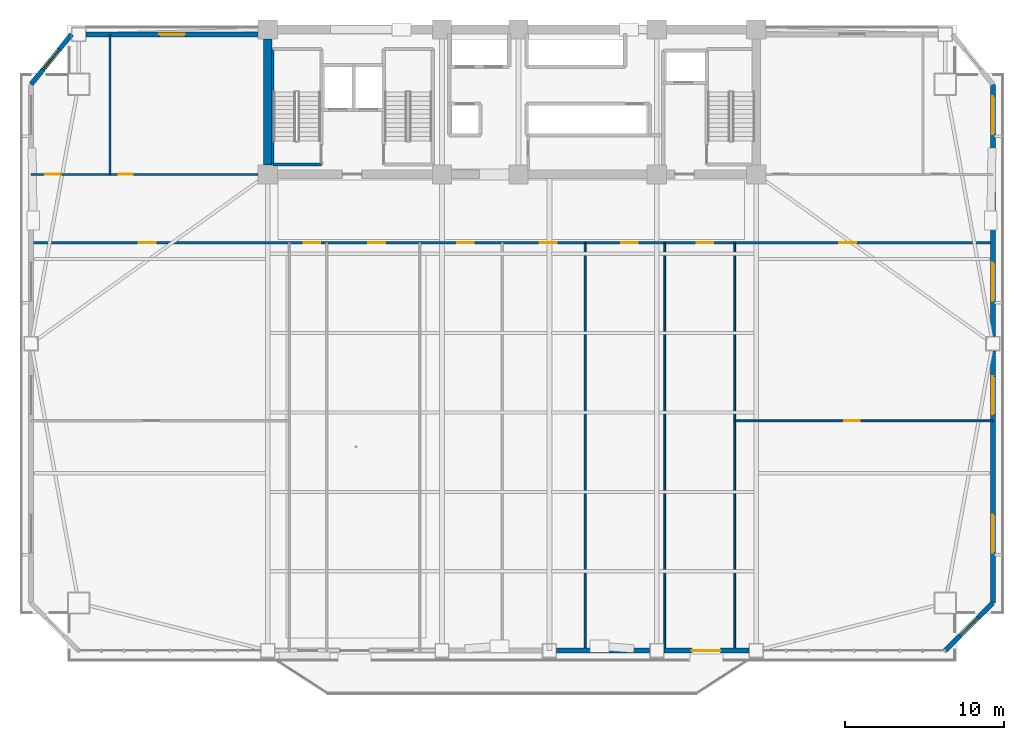
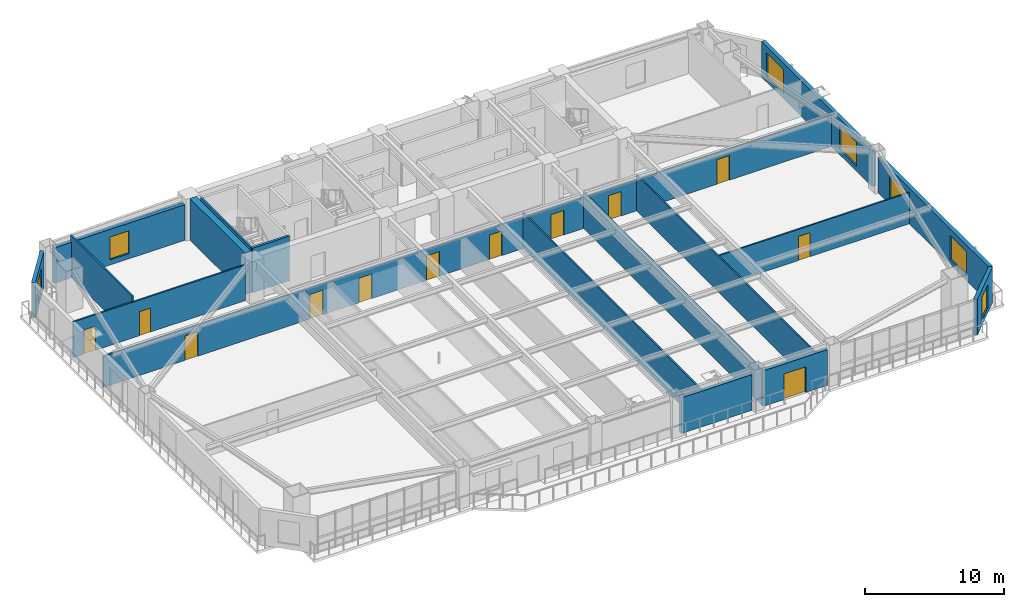
# One storey, part 8 of 15: 17 walls, 12 doors, 7 windows, 19 openings.
"""IFC4 building model written with IfcOpenShell, lengths in metres."""

from ifc_helpers import new_model, si_unit, direction, frame, frame_2d, origin, place, context, subcontext, project, spatial, rectangle, extrude, source, transform, mapped, material, layer, layer_set, type_object, element, fill, save


model = new_model("IFC4")

# Units and contexts
model_context = context("Model", 3, precision=1e-05, world=origin(), true_north=direction((0.0, 1.0)))
body_context = subcontext(model_context, "Body", "Model", "MODEL_VIEW")
ifc_project = project(units=[si_unit("LENGTHUNIT", "METRE"), si_unit("AREAUNIT", "SQUARE_METRE"), si_unit("VOLUMEUNIT", "CUBIC_METRE"), si_unit("PLANEANGLEUNIT", "RADIAN"), si_unit("MASSUNIT", "GRAM", prefix="KILO")], contexts=[model_context])

# Site, building, storey
site_placement = place(None, origin())
site = spatial("IfcSite", under=ifc_project, at=site_placement, CompositionType="ELEMENT")
building_placement = place(site_placement, origin())
building = spatial("IfcBuilding", under=site, at=building_placement, Name="Giltprow Tower", CompositionType="ELEMENT")
storey_placement = place(building_placement, frame((0.0, 0.0, 127.0)))
storey = spatial("IfcBuildingStorey", under=building, at=storey_placement, Name="L31", CompositionType="ELEMENT", Elevation=127.0)

# Wall, opening, window
ifc_material_1 = material(Name="Precast concrete C40", Category="concrete")
ifc_layer_1 = layer(ifc_material_1, 0.300048828125, Name="Precast concrete C40")
ifc_layer_set_1 = layer_set([ifc_layer_1], Name="Precast concrete C40")
wall_type_1 = type_object("IfcWallType", Name="EW-NOTCH-CHAMFER-300", PredefinedType="SOLIDWALL", material=ifc_layer_set_1)
wall_1_placement = place(storey_placement, frame((62.429931640625, 7.51806640625, 0.0), z_axis=(0.0, 0.0, 1.0), x_axis=(0.707106781187, 0.707106781187, 0.0)))
wall_1 = element("IfcWall", 1, at=wall_1_placement, inside=storey, type_object=wall_type_1, Name="L31 Corner Notch Wall SE", PredefinedType="SOLIDWALL", context=body_context, shape_type="SweptSolid", body=[
    extrude(rectangle(XDim=4.22998046875, YDim=0.300048828125, at=frame_2d((2.114990234375, 0.0))), origin(), (0.0, 0.0, 1.0), 3.1201171875),
])
opening_1_placement = place(wall_1_placement, frame((1.31494140625, 0.0, 0.449951171875)))
opening_1 = element("IfcOpeningElement", 2, at=opening_1_placement, cuts=wall_1, Name="Opening WN17", PredefinedType="OPENING", context=body_context, shape_type="SweptSolid", body=[
    extrude(rectangle(XDim=1.60009765625, YDim=2.0, at=frame_2d((0.800048828125, 1.0))), frame((0.0, 0.159912109375, 0.0), z_axis=(0.0, -1.0, 0.0), x_axis=(1.0, 0.0, 0.0)), (0.0, 0.0, 1.0), 0.320068359375),
])
ifc_material_2 = material(Name="Insulated glass", Category="glass")
window_type_1 = type_object("IfcWindowType", Name="WN-COR-1600x2000", PartitioningType="SINGLE_PANEL", PredefinedType="WINDOW", material=ifc_material_2)
shared_shape_1 = source(origin(), body_context, "Body", "SweptSolid", [
    extrude(rectangle(XDim=1.60009765625, YDim=2.0, at=frame_2d((0.800048828125, 1.0))), frame((0.0, 0.030029296875, 0.0), z_axis=(0.0, -1.0, 0.0), x_axis=(1.0, 0.0, 0.0)), (0.0, 0.0, 1.0), 0.06005859375),
])
window_1_placement = place(opening_1_placement, origin())
window_1 = element("IfcWindow", 3, at=window_1_placement, inside=storey, type_object=window_type_1, Name="L31 Corner Notch Window SE", OverallHeight=2.0, OverallWidth=1.60009765625, PartitioningType="SINGLE_PANEL", PredefinedType="WINDOW", context=body_context, shape_type="MappedRepresentation", body=[
    mapped(shared_shape_1, transform((0.0, 0.0, 0.0), x_axis=(1.0, 0.0, 0.0), y_axis=(0.0, 1.0, 0.0), z_axis=(0.0, 0.0, 1.0), scale=1.0)),
])
fill(opening_1, window_1)

wall_2_placement = place(storey_placement, frame((7.52001953125, 46.25, 0.0), z_axis=(0.0, 0.0, 1.0), x_axis=(-0.62893048879, -0.7774615362, 0.0)))
wall_2 = element("IfcWall", 4, at=wall_2_placement, inside=storey, type_object=wall_type_1, Name="L31 Corner Notch Wall NW", PredefinedType="SOLIDWALL", context=body_context, shape_type="SweptSolid", body=[
    extrude(rectangle(XDim=4.040283203125, YDim=0.300048828125, at=frame_2d((2.02001953125, 0.0))), origin(), (0.0, 0.0, 1.0), 3.1201171875),
])
opening_2_placement = place(wall_2_placement, frame((1.219970703125, 0.0, 0.449951171875)))
opening_2 = element("IfcOpeningElement", 5, at=opening_2_placement, cuts=wall_2, Name="Opening WN17", PredefinedType="OPENING", context=body_context, shape_type="SweptSolid", body=[
    extrude(rectangle(XDim=1.60009765625, YDim=2.0, at=frame_2d((0.800048828125, 1.0))), frame((0.0, 0.159912109375, 0.0), z_axis=(0.0, -1.0, 0.0), x_axis=(1.0, 0.0, 0.0)), (0.0, 0.0, 1.0), 0.320068359375),
])
window_2_placement = place(opening_2_placement, origin())
window_2 = element("IfcWindow", 6, at=window_2_placement, inside=storey, type_object=window_type_1, Name="L31 Corner Notch Window NW", OverallHeight=2.0, OverallWidth=1.60009765625, PartitioningType="SINGLE_PANEL", PredefinedType="WINDOW", context=body_context, shape_type="MappedRepresentation", body=[
    mapped(shared_shape_1, transform((0.0, 0.0, 0.0), x_axis=(1.0, 0.0, 0.0), y_axis=(0.0, 1.0, 0.0), z_axis=(0.0, 0.0, 1.0), scale=1.0)),
])
fill(opening_2, window_2)

# Wall
ifc_layer_2 = layer(ifc_material_1, 0.320068359375, Name="Precast concrete C40")
ifc_layer_set_2 = layer_set([ifc_layer_2], Name="Precast concrete C40")
wall_type_2 = type_object("IfcWallType", Name="EW-TOW-STONE-320", PredefinedType="SOLIDWALL", material=ifc_layer_set_2)
wall_3_placement = place(storey_placement, frame((38.0, 7.51806640625, 0.0), z_axis=(0.0, 0.0, 1.0), x_axis=(1.0, 0.0, 0.0)))
element("IfcWall", 7, at=wall_3_placement, inside=storey, type_object=wall_type_2, Name="L31 South Expressed Frame Wall 4", PredefinedType="SOLIDWALL", context=body_context, shape_type="SweptSolid", body=[
    extrude(rectangle(XDim=5.85009765625, YDim=0.320068359375, at=frame_2d((2.925048828125, 0.0))), origin(), (0.0, 0.0, 1.0), 3.1201171875),
])

# Wall, opening, door
wall_4_placement = place(storey_placement, frame((44.75, 7.51806640625, 0.0), z_axis=(0.0, 0.0, 1.0), x_axis=(1.0, 0.0, 0.0)))
wall_4 = element("IfcWall", 8, at=wall_4_placement, inside=storey, type_object=wall_type_2, Name="L31 South Expressed Frame Wall 5", PredefinedType="SOLIDWALL", context=body_context, shape_type="SweptSolid", body=[
    extrude(rectangle(XDim=5.35009765625, YDim=0.320068359375, at=frame_2d((2.675048828125, 0.0))), origin(), (0.0, 0.0, 1.0), 3.1201171875),
])
opening_3_placement = place(wall_4_placement, frame((1.75, 0.0, 0.0)))
opening_3 = element("IfcOpeningElement", 9, at=opening_3_placement, cuts=wall_4, Name="Opening ED25", PredefinedType="OPENING", context=body_context, shape_type="SweptSolid", body=[
    extrude(rectangle(XDim=1.800048828125, YDim=2.25, at=frame_2d((0.89990234375, 1.125))), frame((0.0, 0.169921875, 0.0), z_axis=(0.0, -1.0, 0.0), x_axis=(1.0, 0.0, 0.0)), (0.0, 0.0, 1.0), 0.340087890625),
])
ifc_material_3 = material(Name="Anodized bronze and glass", Category="glass")
door_type_1 = type_object("IfcDoorType", Name="DR-BALC-SLIDE-1800", OperationType="SLIDING_TO_LEFT", PredefinedType="DOOR", material=ifc_material_3)
shared_shape_2 = source(origin(), body_context, "Body", "SweptSolid", [
    extrude(rectangle(XDim=1.800048828125, YDim=2.25, at=frame_2d((0.89990234375, 1.125))), frame((0.0, 0.02490234375, 0.0), z_axis=(0.0, -1.0, 0.0), x_axis=(1.0, 0.0, 0.0)), (0.0, 0.0, 1.0), 0.050048828125),
])
door_1_placement = place(opening_3_placement, origin())
door_1 = element("IfcDoor", 10, at=door_1_placement, inside=storey, type_object=door_type_1, Name="L31 Waterfront Balcony Sliding Door 2", OperationType="SLIDING_TO_LEFT", OverallHeight=2.25, OverallWidth=1.800048828125, PredefinedType="DOOR", context=body_context, shape_type="MappedRepresentation", body=[
    mapped(shared_shape_2, transform((0.0, 0.0, 0.0), x_axis=(1.0, 0.0, 0.0), y_axis=(0.0, 1.0, 0.0), z_axis=(0.0, 0.0, 1.0), scale=1.0)),
])
fill(opening_3, door_1)

# Wall, openings, windows
wall_5_placement = place(storey_placement, frame((65.4208984375, 10.509033203125, 0.0), z_axis=(0.0, 0.0, 1.0), x_axis=(0.0, 1.0, 0.0)))
wall_5 = element("IfcWall", 11, at=wall_5_placement, inside=storey, type_object=wall_type_2, Name="L31 E Wing Masonry Wall 1", PredefinedType="SOLIDWALL", context=body_context, shape_type="SweptSolid", body=[
    extrude(rectangle(XDim=15.849853515625, YDim=0.320068359375, at=frame_2d((7.9248046875, 0.0))), origin(), (0.0, 0.0, 1.0), 3.1201171875),
])
opening_4_placement = place(wall_5_placement, frame((3.160888671875, 0.0, 0.449951171875)))
opening_4 = element("IfcOpeningElement", 12, at=opening_4_placement, cuts=wall_5, Name="Opening WN29", PredefinedType="OPENING", context=body_context, shape_type="SweptSolid", body=[
    extrude(rectangle(XDim=2.39990234375, YDim=2.10009765625, at=frame_2d((1.199951171875, 1.050048828125))), frame((0.0, 0.169921875, 0.0), z_axis=(0.0, -1.0, 0.0), x_axis=(1.0, 0.0, 0.0)), (0.0, 0.0, 1.0), 0.340087890625),
])
opening_5_placement = place(wall_5_placement, frame((11.85107421875, 0.0, 0.449951171875)))
opening_5 = element("IfcOpeningElement", 13, at=opening_5_placement, cuts=wall_5, Name="Opening WN29", PredefinedType="OPENING", context=body_context, shape_type="SweptSolid", body=[
    extrude(rectangle(XDim=2.39990234375, YDim=2.10009765625, at=frame_2d((1.199951171875, 1.050048828125))), frame((0.0, 0.169921875, 0.0), z_axis=(0.0, -1.0, 0.0), x_axis=(1.0, 0.0, 0.0)), (0.0, 0.0, 1.0), 0.340087890625),
])
window_type_2 = type_object("IfcWindowType", Name="WN-OFF-2400x2100", PartitioningType="DOUBLE_PANEL_VERTICAL", PredefinedType="WINDOW", material=ifc_material_2)
shared_shape_3 = source(origin(), body_context, "Body", "SweptSolid", [
    extrude(rectangle(XDim=2.39990234375, YDim=2.10009765625, at=frame_2d((1.199951171875, 1.050048828125))), frame((0.0, 0.030029296875, 0.0), z_axis=(0.0, -1.0, 0.0), x_axis=(1.0, 0.0, 0.0)), (0.0, 0.0, 1.0), 0.06005859375),
])
window_3_placement = place(opening_4_placement, origin())
window_3 = element("IfcWindow", 14, at=window_3_placement, inside=storey, type_object=window_type_2, Name="L31 E Wing Window 1-1A", OverallHeight=2.10009765625, OverallWidth=2.39990234375, PartitioningType="SINGLE_PANEL", PredefinedType="WINDOW", context=body_context, shape_type="MappedRepresentation", body=[
    mapped(shared_shape_3, transform((0.0, 0.0, 0.0), x_axis=(1.0, 0.0, 0.0), y_axis=(0.0, 1.0, 0.0), z_axis=(0.0, 0.0, 1.0), scale=1.0)),
])
fill(opening_4, window_3)
window_4_placement = place(opening_5_placement, origin())
window_4 = element("IfcWindow", 15, at=window_4_placement, inside=storey, type_object=window_type_2, Name="L31 E Wing Window 1-1B", OverallHeight=2.10009765625, OverallWidth=2.39990234375, PartitioningType="SINGLE_PANEL", PredefinedType="WINDOW", context=body_context, shape_type="MappedRepresentation", body=[
    mapped(shared_shape_3, transform((0.0, 0.0, 0.0), x_axis=(1.0, 0.0, 0.0), y_axis=(0.0, 1.0, 0.0), z_axis=(0.0, 0.0, 1.0), scale=1.0)),
])
fill(opening_5, window_4)

wall_6_placement = place(storey_placement, frame((65.4208984375, 27.259033203125, 0.0), z_axis=(0.0, 0.0, 1.0), x_axis=(0.0, 1.0, 0.0)))
wall_6 = element("IfcWall", 16, at=wall_6_placement, inside=storey, type_object=wall_type_2, Name="L31 E Wing Masonry Wall 2", PredefinedType="SOLIDWALL", context=body_context, shape_type="SweptSolid", body=[
    extrude(rectangle(XDim=15.849853515625, YDim=0.320068359375, at=frame_2d((7.9248046875, 0.0))), origin(), (0.0, 0.0, 1.0), 3.1201171875),
])
opening_6_placement = place(wall_6_placement, frame((2.240966796875, 0.0, 0.449951171875)))
opening_6 = element("IfcOpeningElement", 17, at=opening_6_placement, cuts=wall_6, Name="Opening WN29", PredefinedType="OPENING", context=body_context, shape_type="SweptSolid", body=[
    extrude(rectangle(XDim=2.39990234375, YDim=2.10009765625, at=frame_2d((1.199951171875, 1.050048828125))), frame((0.0, 0.169921875, 0.0), z_axis=(0.0, -1.0, 0.0), x_axis=(1.0, 0.0, 0.0)), (0.0, 0.0, 1.0), 0.340087890625),
])
opening_7_placement = place(wall_6_placement, frame((12.7080078125, 0.0, 0.449951171875)))
opening_7 = element("IfcOpeningElement", 18, at=opening_7_placement, cuts=wall_6, Name="Opening WN29", PredefinedType="OPENING", context=body_context, shape_type="SweptSolid", body=[
    extrude(rectangle(XDim=2.39990234375, YDim=2.10009765625, at=frame_2d((1.199951171875, 1.050048828125))), frame((0.0, 0.169921875, 0.0), z_axis=(0.0, -1.0, 0.0), x_axis=(1.0, 0.0, 0.0)), (0.0, 0.0, 1.0), 0.340087890625),
])
window_5_placement = place(opening_6_placement, origin())
window_5 = element("IfcWindow", 19, at=window_5_placement, inside=storey, type_object=window_type_2, Name="L31 E Wing Window 2-1", OverallHeight=2.10009765625, OverallWidth=2.39990234375, PartitioningType="SINGLE_PANEL", PredefinedType="WINDOW", context=body_context, shape_type="MappedRepresentation", body=[
    mapped(shared_shape_3, transform((0.0, 0.0, 0.0), x_axis=(1.0, 0.0, 0.0), y_axis=(0.0, 1.0, 0.0), z_axis=(0.0, 0.0, 1.0), scale=1.0)),
])
fill(opening_6, window_5)
window_6_placement = place(opening_7_placement, origin())
window_6 = element("IfcWindow", 20, at=window_6_placement, inside=storey, type_object=window_type_2, Name="L31 E Wing Window 2-2", OverallHeight=2.10009765625, OverallWidth=2.39990234375, PartitioningType="SINGLE_PANEL", PredefinedType="WINDOW", context=body_context, shape_type="MappedRepresentation", body=[
    mapped(shared_shape_3, transform((0.0, 0.0, 0.0), x_axis=(1.0, 0.0, 0.0), y_axis=(0.0, 1.0, 0.0), z_axis=(0.0, 0.0, 1.0), scale=1.0)),
])
fill(opening_7, window_6)

# Wall, opening, window
wall_7_placement = place(storey_placement, frame((8.419921875, 46.25, 0.0), z_axis=(0.0, 0.0, 1.0), x_axis=(1.0, 0.0, 0.0)))
wall_7 = element("IfcWall", 21, at=wall_7_placement, inside=storey, type_object=wall_type_2, Name="L31 North-West Wing Wall", PredefinedType="SOLIDWALL", context=body_context, shape_type="SweptSolid", body=[
    extrude(rectangle(XDim=10.830078125, YDim=0.320068359375, at=frame_2d((5.4150390625, 0.0))), origin(), (0.0, 0.0, 1.0), 3.1201171875),
])
opening_8_placement = place(wall_7_placement, frame((4.614990234375, 0.0, 0.449951171875)))
opening_8 = element("IfcOpeningElement", 22, at=opening_8_placement, cuts=wall_7, Name="Opening WN17", PredefinedType="OPENING", context=body_context, shape_type="SweptSolid", body=[
    extrude(rectangle(XDim=1.60009765625, YDim=2.0, at=frame_2d((0.800048828125, 1.0))), frame((0.0, 0.169921875, 0.0), z_axis=(0.0, -1.0, 0.0), x_axis=(1.0, 0.0, 0.0)), (0.0, 0.0, 1.0), 0.340087890625),
])
window_7_placement = place(opening_8_placement, origin())
window_7 = element("IfcWindow", 23, at=window_7_placement, inside=storey, type_object=window_type_1, Name="L31 North-West Window", OverallHeight=2.0, OverallWidth=1.60009765625, PartitioningType="SINGLE_PANEL", PredefinedType="WINDOW", context=body_context, shape_type="MappedRepresentation", body=[
    mapped(shared_shape_1, transform((0.0, 0.0, 0.0), x_axis=(1.0, 0.0, 0.0), y_axis=(0.0, 1.0, 0.0), z_axis=(0.0, 0.0, 1.0), scale=1.0)),
])
fill(opening_8, window_7)

# Wall, openings, doors
ifc_material_4 = material(Name="Gypsum stud partition", Category="gypsum")
ifc_layer_3 = layer(ifc_material_4, 0.14990234375, Name="Gypsum stud partition")
ifc_layer_set_3 = layer_set([ifc_layer_3], Name="Gypsum stud partition")
wall_type_3 = type_object("IfcWallType", Name="IW-CORR-150", PredefinedType="PARTITIONING", material=ifc_layer_set_3)
wall_8_placement = place(storey_placement, frame((4.97900390625, 33.14990234375, 0.0), z_axis=(0.0, 0.0, 1.0), x_axis=(1.0, 0.0, 0.0)))
wall_8 = element("IfcWall", 24, at=wall_8_placement, inside=storey, type_object=wall_type_3, Name="L31 Office Loop Corridor Wall", PredefinedType="PARTITIONING", context=body_context, shape_type="SweptSolid", body=[
    extrude(rectangle(XDim=60.44189453125, YDim=0.14990234375, at=frame_2d((30.220947265625, 0.0))), origin(), (0.0, 0.0, 1.0), 2.72509765625),
])
opening_9_placement = place(wall_8_placement, frame((6.77392578125, 0.0, 0.0)))
opening_9 = element("IfcOpeningElement", 25, at=opening_9_placement, cuts=wall_8, Name="Opening ID31", PredefinedType="OPENING", context=body_context, shape_type="SweptSolid", body=[
    extrude(rectangle(XDim=1.050048828125, YDim=2.14990234375, at=frame_2d((0.52490234375, 1.074951171875))), frame((0.0, 0.0849609375, 0.0), z_axis=(0.0, -1.0, 0.0), x_axis=(1.0, 0.0, 0.0)), (0.0, 0.0, 1.0), 0.169921875),
])
opening_10_placement = place(wall_8_placement, frame((17.131103515625, 0.0, 0.0)))
opening_10 = element("IfcOpeningElement", 26, at=opening_10_placement, cuts=wall_8, Name="Opening ID31", PredefinedType="OPENING", context=body_context, shape_type="SweptSolid", body=[
    extrude(rectangle(XDim=1.050048828125, YDim=2.14990234375, at=frame_2d((0.52490234375, 1.074951171875))), frame((0.0, 0.0849609375, 0.0), z_axis=(0.0, -1.0, 0.0), x_axis=(1.0, 0.0, 0.0)), (0.0, 0.0, 1.0), 0.169921875),
])
opening_11_placement = place(wall_8_placement, frame((21.19091796875, 0.0, 0.0)))
opening_11 = element("IfcOpeningElement", 27, at=opening_11_placement, cuts=wall_8, Name="Opening ID31", PredefinedType="OPENING", context=body_context, shape_type="SweptSolid", body=[
    extrude(rectangle(XDim=1.050048828125, YDim=2.14990234375, at=frame_2d((0.52490234375, 1.074951171875))), frame((0.0, 0.0849609375, 0.0), z_axis=(0.0, -1.0, 0.0), x_axis=(1.0, 0.0, 0.0)), (0.0, 0.0, 1.0), 0.169921875),
])
opening_12_placement = place(wall_8_placement, frame((26.76806640625, 0.0, 0.0)))
opening_12 = element("IfcOpeningElement", 28, at=opening_12_placement, cuts=wall_8, Name="Opening ID31", PredefinedType="OPENING", context=body_context, shape_type="SweptSolid", body=[
    extrude(rectangle(XDim=1.050048828125, YDim=2.14990234375, at=frame_2d((0.52490234375, 1.074951171875))), frame((0.0, 0.0849609375, 0.0), z_axis=(0.0, -1.0, 0.0), x_axis=(1.0, 0.0, 0.0)), (0.0, 0.0, 1.0), 0.169921875),
])
opening_13_placement = place(wall_8_placement, frame((31.968017578125, 0.0, 0.0)))
opening_13 = element("IfcOpeningElement", 29, at=opening_13_placement, cuts=wall_8, Name="Opening ID31", PredefinedType="OPENING", context=body_context, shape_type="SweptSolid", body=[
    extrude(rectangle(XDim=1.050048828125, YDim=2.14990234375, at=frame_2d((0.52490234375, 1.074951171875))), frame((0.0, 0.0849609375, 0.0), z_axis=(0.0, -1.0, 0.0), x_axis=(1.0, 0.0, 0.0)), (0.0, 0.0, 1.0), 0.169921875),
])
opening_14_placement = place(wall_8_placement, frame((37.083984375, 0.0, 0.0)))
opening_14 = element("IfcOpeningElement", 30, at=opening_14_placement, cuts=wall_8, Name="Opening ID31", PredefinedType="OPENING", context=body_context, shape_type="SweptSolid", body=[
    extrude(rectangle(XDim=1.050048828125, YDim=2.14990234375, at=frame_2d((0.52490234375, 1.074951171875))), frame((0.0, 0.0849609375, 0.0), z_axis=(0.0, -1.0, 0.0), x_axis=(1.0, 0.0, 0.0)), (0.0, 0.0, 1.0), 0.169921875),
])
opening_15_placement = place(wall_8_placement, frame((41.83203125, 0.0, 0.0)))
opening_15 = element("IfcOpeningElement", 31, at=opening_15_placement, cuts=wall_8, Name="Opening ID31", PredefinedType="OPENING", context=body_context, shape_type="SweptSolid", body=[
    extrude(rectangle(XDim=1.050048828125, YDim=2.14990234375, at=frame_2d((0.52490234375, 1.074951171875))), frame((0.0, 0.0849609375, 0.0), z_axis=(0.0, -1.0, 0.0), x_axis=(1.0, 0.0, 0.0)), (0.0, 0.0, 1.0), 0.169921875),
])
opening_16_placement = place(wall_8_placement, frame((50.794921875, 0.0, 0.0)))
opening_16 = element("IfcOpeningElement", 32, at=opening_16_placement, cuts=wall_8, Name="Opening ID31", PredefinedType="OPENING", context=body_context, shape_type="SweptSolid", body=[
    extrude(rectangle(XDim=1.050048828125, YDim=2.14990234375, at=frame_2d((0.52490234375, 1.074951171875))), frame((0.0, 0.0849609375, 0.0), z_axis=(0.0, -1.0, 0.0), x_axis=(1.0, 0.0, 0.0)), (0.0, 0.0, 1.0), 0.169921875),
])
ifc_material_5 = material(Name="Engineered timber", Category="wood")
door_type_2 = type_object("IfcDoorType", Name="DR-SUITE-1050", OperationType="SINGLE_SWING_LEFT", PredefinedType="DOOR", material=ifc_material_5)
shared_shape_4 = source(origin(), body_context, "Body", "SweptSolid", [
    extrude(rectangle(XDim=1.050048828125, YDim=2.14990234375, at=frame_2d((0.52490234375, 1.074951171875))), frame((0.0, 0.02490234375, 0.0), z_axis=(0.0, -1.0, 0.0), x_axis=(1.0, 0.0, 0.0)), (0.0, 0.0, 1.0), 0.050048828125),
])
door_2_placement = place(opening_9_placement, origin())
door_2 = element("IfcDoor", 33, at=door_2_placement, inside=storey, type_object=door_type_2, Name="L31 Suite Reception Foyer Door", OperationType="SINGLE_SWING_RIGHT", OverallHeight=2.14990234375, OverallWidth=1.050048828125, PredefinedType="DOOR", context=body_context, shape_type="MappedRepresentation", body=[
    mapped(shared_shape_4, transform((0.0, 0.0, 0.0), x_axis=(1.0, 0.0, 0.0), y_axis=(0.0, 1.0, 0.0), z_axis=(0.0, 0.0, 1.0), scale=1.0)),
])
fill(opening_9, door_2)
door_3_placement = place(opening_10_placement, origin())
door_3 = element("IfcDoor", 34, at=door_3_placement, inside=storey, type_object=door_type_2, Name="L31 Bookstore Shop 2 Door", OperationType="SINGLE_SWING_RIGHT", OverallHeight=2.14990234375, OverallWidth=1.050048828125, PredefinedType="DOOR", context=body_context, shape_type="MappedRepresentation", body=[
    mapped(shared_shape_4, transform((0.0, 0.0, 0.0), x_axis=(1.0, 0.0, 0.0), y_axis=(0.0, 1.0, 0.0), z_axis=(0.0, 0.0, 1.0), scale=1.0)),
])
fill(opening_10, door_3)
door_4_placement = place(opening_11_placement, origin())
door_4 = element("IfcDoor", 35, at=door_4_placement, inside=storey, type_object=door_type_2, Name="L31 Ceramics Shop 3 Door", OperationType="SINGLE_SWING_LEFT", OverallHeight=2.14990234375, OverallWidth=1.050048828125, PredefinedType="DOOR", context=body_context, shape_type="MappedRepresentation", body=[
    mapped(shared_shape_4, transform((0.0, 0.0, 0.0), x_axis=(1.0, 0.0, 0.0), y_axis=(0.0, 1.0, 0.0), z_axis=(0.0, 0.0, 1.0), scale=1.0)),
])
fill(opening_11, door_4)
door_5_placement = place(opening_12_placement, origin())
door_5 = element("IfcDoor", 36, at=door_5_placement, inside=storey, type_object=door_type_2, Name="L31 Antiques Shop 4 Door", OperationType="SINGLE_SWING_RIGHT", OverallHeight=2.14990234375, OverallWidth=1.050048828125, PredefinedType="DOOR", context=body_context, shape_type="MappedRepresentation", body=[
    mapped(shared_shape_4, transform((0.0, 0.0, 0.0), x_axis=(1.0, 0.0, 0.0), y_axis=(0.0, 1.0, 0.0), z_axis=(0.0, 0.0, 1.0), scale=1.0)),
])
fill(opening_12, door_5)
door_6_placement = place(opening_13_placement, origin())
door_6 = element("IfcDoor", 37, at=door_6_placement, inside=storey, type_object=door_type_2, Name="L31 Consular Meeting Room 1 Door", OperationType="SINGLE_SWING_LEFT", OverallHeight=2.14990234375, OverallWidth=1.050048828125, PredefinedType="DOOR", context=body_context, shape_type="MappedRepresentation", body=[
    mapped(shared_shape_4, transform((0.0, 0.0, 0.0), x_axis=(1.0, 0.0, 0.0), y_axis=(0.0, 1.0, 0.0), z_axis=(0.0, 0.0, 1.0), scale=1.0)),
])
fill(opening_13, door_6)
door_7_placement = place(opening_14_placement, origin())
door_7 = element("IfcDoor", 38, at=door_7_placement, inside=storey, type_object=door_type_2, Name="L31 Treaty Meeting Room 2 Door", OperationType="SINGLE_SWING_RIGHT", OverallHeight=2.14990234375, OverallWidth=1.050048828125, PredefinedType="DOOR", context=body_context, shape_type="MappedRepresentation", body=[
    mapped(shared_shape_4, transform((0.0, 0.0, 0.0), x_axis=(1.0, 0.0, 0.0), y_axis=(0.0, 1.0, 0.0), z_axis=(0.0, 0.0, 1.0), scale=1.0)),
])
fill(opening_14, door_7)
door_8_placement = place(opening_15_placement, origin())
door_8 = element("IfcDoor", 39, at=door_8_placement, inside=storey, type_object=door_type_2, Name="L31 Press Meeting Room 3 Door", OperationType="SINGLE_SWING_LEFT", OverallHeight=2.14990234375, OverallWidth=1.050048828125, PredefinedType="DOOR", context=body_context, shape_type="MappedRepresentation", body=[
    mapped(shared_shape_4, transform((0.0, 0.0, 0.0), x_axis=(1.0, 0.0, 0.0), y_axis=(0.0, 1.0, 0.0), z_axis=(0.0, 0.0, 1.0), scale=1.0)),
])
fill(opening_15, door_8)
door_9_placement = place(opening_16_placement, origin())
door_9 = element("IfcDoor", 40, at=door_9_placement, inside=storey, type_object=door_type_2, Name="L31 Suite Reception Foyer Door", OperationType="SINGLE_SWING_RIGHT", OverallHeight=2.14990234375, OverallWidth=1.050048828125, PredefinedType="DOOR", context=body_context, shape_type="MappedRepresentation", body=[
    mapped(shared_shape_4, transform((0.0, 0.0, 0.0), x_axis=(1.0, 0.0, 0.0), y_axis=(0.0, 1.0, 0.0), z_axis=(0.0, 0.0, 1.0), scale=1.0)),
])
fill(opening_16, door_9)

# Walls
ifc_layer_4 = layer(ifc_material_4, 0.1201171875, Name="Gypsum stud partition")
ifc_layer_set_4 = layer_set([ifc_layer_4], Name="Gypsum stud partition")
wall_type_4 = type_object("IfcWallType", Name="IW-ROOM-120", PredefinedType="PARTITIONING", material=ifc_layer_set_4)
for number, where, z_axis, x_axis, name in (
    (41, (39.800048828125, 7.51806640625, 0.0), (0.0, 0.0, 1.0), (0.0, 1.0, 0.0), "L31 Office Partition 5"),
    (42, (44.800048828125, 7.51806640625, 0.0), (0.0, 0.0, 1.0), (0.0, 1.0, 0.0), "L31 Office Partition 6"),
    (43, (49.199951171875, 7.51806640625, 0.0), (0.0, 0.0, 1.0), (0.0, 1.0, 0.0), "L31 Office Partition 7"),
):
    element("IfcWall", number, at=place(storey_placement, frame(where, z_axis=z_axis, x_axis=x_axis)), inside=storey, type_object=wall_type_4, Name=name, PredefinedType="PARTITIONING", context=body_context, shape_type="SweptSolid", body=[
        extrude(rectangle(XDim=25.6318359375, YDim=0.1201171875, at=frame_2d((12.81591796875, 0.0))), origin(), (0.0, 0.0, 1.0), 3.125),
    ])

# Wall, opening, door
wall_9_placement = place(storey_placement, frame((49.199951171875, 21.9599609375, 0.0), z_axis=(0.0, 0.0, 1.0), x_axis=(1.0, 0.0, 0.0)))
wall_9 = element("IfcWall", 44, at=wall_9_placement, inside=storey, type_object=wall_type_4, Name="L31 Office Mid Wall 8", PredefinedType="PARTITIONING", context=body_context, shape_type="SweptSolid", body=[
    extrude(rectangle(XDim=16.220947265625, YDim=0.1201171875, at=frame_2d((8.1103515625, 0.0))), origin(), (0.0, 0.0, 1.0), 2.72509765625),
])
opening_17_placement = place(wall_9_placement, frame((6.89208984375, 0.0, 0.0)))
opening_17 = element("IfcOpeningElement", 45, at=opening_17_placement, cuts=wall_9, Name="Opening ID11", PredefinedType="OPENING", context=body_context, shape_type="SweptSolid", body=[
    extrude(rectangle(XDim=0.949951171875, YDim=2.10009765625, at=frame_2d((0.47509765625, 1.050048828125))), frame((0.0, 0.070068359375, 0.0), z_axis=(0.0, -1.0, 0.0), x_axis=(1.0, 0.0, 0.0)), (0.0, 0.0, 1.0), 0.14013671875),
])
door_type_3 = type_object("IfcDoorType", Name="DR-ROOM-950", OperationType="SINGLE_SWING_RIGHT", PredefinedType="DOOR", material=ifc_material_5)
shared_shape_5 = source(origin(), body_context, "Body", "SweptSolid", [
    extrude(rectangle(XDim=0.949951171875, YDim=2.10009765625, at=frame_2d((0.47509765625, 1.050048828125))), frame((0.0, 0.02490234375, 0.0), z_axis=(0.0, -1.0, 0.0), x_axis=(1.0, 0.0, 0.0)), (0.0, 0.0, 1.0), 0.050048828125),
])
door_10_placement = place(opening_17_placement, origin())
door_10 = element("IfcDoor", 46, at=door_10_placement, inside=storey, type_object=door_type_3, Name="L31 Summit Meeting Room 4 Inner Door", OperationType="SINGLE_SWING_LEFT", OverallHeight=2.10009765625, OverallWidth=0.949951171875, PredefinedType="DOOR", context=body_context, shape_type="MappedRepresentation", body=[
    mapped(shared_shape_5, transform((0.0, 0.0, 0.0), x_axis=(1.0, 0.0, 0.0), y_axis=(0.0, 1.0, 0.0), z_axis=(0.0, 0.0, 1.0), scale=1.0)),
])
fill(opening_17, door_10)

# Walls
ifc_material_6 = material(Name="Concrete C45", Category="concrete")
ifc_layer_5 = layer(ifc_material_6, 0.139892578125, Name="Concrete C45")
ifc_layer_set_5 = layer_set([ifc_layer_5], Name="Concrete C45")
wall_type_5 = type_object("IfcWallType", Name="IW-STAIR-140", PredefinedType="SOLIDWALL", material=ifc_layer_set_5)
wall_10_placement = place(storey_placement, frame((20.169921875, 38.070068359375, 0.0), z_axis=(0.0, 0.0, 1.0), x_axis=(0.0, 1.0, 0.0)))
element("IfcWall", 47, at=wall_10_placement, inside=storey, type_object=wall_type_5, Name="L31 Stair ST-1 West Bearing Wall", PredefinedType="SOLIDWALL", context=body_context, shape_type="SweptSolid", body=[
    extrude(rectangle(XDim=7.25, YDim=0.139892578125, at=frame_2d((3.625, 0.0))), origin(), (0.0, 0.0, 1.0), 3.89990234375),
])
ifc_material_7 = material(Name="Concrete C40", Category="concrete")
ifc_layer_6 = layer(ifc_material_7, 0.199951171875, Name="Concrete C40")
ifc_layer_set_6 = layer_set([ifc_layer_6], Name="Concrete C40")
wall_type_6 = type_object("IfcWallType", Name="IW-STAIR-200", PredefinedType="SOLIDWALL", material=ifc_layer_set_6)
wall_11_placement = place(storey_placement, frame((20.169921875, 38.070068359375, 0.0), z_axis=(0.0, 0.0, 1.0), x_axis=(1.0, 0.0, 0.0)))
element("IfcWall", 48, at=wall_11_placement, inside=storey, type_object=wall_type_6, Name="L31 Stair ST-1 South Bearing Wall", PredefinedType="SOLIDWALL", context=body_context, shape_type="SweptSolid", body=[
    extrude(rectangle(XDim=3.050048828125, YDim=0.199951171875, at=frame_2d((1.52490234375, 0.0))), origin(), (0.0, 0.0, 1.0), 3.89990234375),
])

# Wall, openings, doors
ifc_material_8 = material(Name="Concrete C30", Category="concrete")
ifc_layer_7 = layer(ifc_material_8, 0.1298828125, Name="Concrete C30")
ifc_layer_set_7 = layer_set([ifc_layer_7], Name="Concrete C30")
wall_type_7 = type_object("IfcWallType", Name="IW-WET-130", PredefinedType="PARTITIONING", material=ifc_layer_set_7)
wall_12_placement = place(storey_placement, frame((4.97900390625, 37.449951171875, 0.0), z_axis=(0.0, 0.0, 1.0), x_axis=(1.0, 0.0, 0.0)))
wall_12 = element("IfcWall", 49, at=wall_12_placement, inside=storey, type_object=wall_type_7, Name="L31 NW Wing South Wall", PredefinedType="PARTITIONING", context=body_context, shape_type="SweptSolid", body=[
    extrude(rectangle(XDim=14.27099609375, YDim=0.1298828125, at=frame_2d((7.135498046875, 0.0))), origin(), (0.0, 0.0, 1.0), 3.125),
])
opening_18_placement = place(wall_12_placement, frame((0.89990234375, 0.0, 0.0)))
opening_18 = element("IfcOpeningElement", 50, at=opening_18_placement, cuts=wall_12, Name="Opening ID11", PredefinedType="OPENING", context=body_context, shape_type="SweptSolid", body=[
    extrude(rectangle(XDim=0.949951171875, YDim=2.10009765625, at=frame_2d((0.47509765625, 1.050048828125))), frame((0.0, 0.074951171875, 0.0), z_axis=(0.0, -1.0, 0.0), x_axis=(1.0, 0.0, 0.0)), (0.0, 0.0, 1.0), 0.14990234375),
])
opening_19_placement = place(wall_12_placement, frame((5.5, 0.0, 0.0)))
opening_19 = element("IfcOpeningElement", 51, at=opening_19_placement, cuts=wall_12, Name="Opening ID15", PredefinedType="OPENING", context=body_context, shape_type="SweptSolid", body=[
    extrude(rectangle(XDim=0.89990234375, YDim=2.10009765625, at=frame_2d((0.449951171875, 1.050048828125))), frame((0.0, 0.074951171875, 0.0), z_axis=(0.0, -1.0, 0.0), x_axis=(1.0, 0.0, 0.0)), (0.0, 0.0, 1.0), 0.14990234375),
])
door_type_4 = type_object("IfcDoorType", Name="DR-WC-900", OperationType="SINGLE_SWING_LEFT", PredefinedType="DOOR", material=ifc_material_5)
shared_shape_6 = source(origin(), body_context, "Body", "SweptSolid", [
    extrude(rectangle(XDim=0.89990234375, YDim=2.10009765625, at=frame_2d((0.449951171875, 1.050048828125))), frame((0.0, 0.02490234375, 0.0), z_axis=(0.0, -1.0, 0.0), x_axis=(1.0, 0.0, 0.0)), (0.0, 0.0, 1.0), 0.050048828125),
])
door_11_placement = place(opening_19_placement, origin())
door_11 = element("IfcDoor", 52, at=door_11_placement, inside=storey, type_object=door_type_4, Name="L31 NW Washroom Door", OperationType="SINGLE_SWING_LEFT", OverallHeight=2.10009765625, OverallWidth=0.89990234375, PredefinedType="DOOR", context=body_context, shape_type="MappedRepresentation", body=[
    mapped(shared_shape_6, transform((0.0, 0.0, 0.0), x_axis=(1.0, 0.0, 0.0), y_axis=(0.0, 1.0, 0.0), z_axis=(0.0, 0.0, 1.0), scale=1.0)),
])
fill(opening_19, door_11)
door_12_placement = place(opening_18_placement, origin())
door_12 = element("IfcDoor", 53, at=door_12_placement, inside=storey, type_object=door_type_3, Name="L31 West Tenant Office West Door", OperationType="SINGLE_SWING_RIGHT", OverallHeight=2.10009765625, OverallWidth=0.949951171875, PredefinedType="DOOR", context=body_context, shape_type="MappedRepresentation", body=[
    mapped(shared_shape_5, transform((0.0, 0.0, 0.0), x_axis=(1.0, 0.0, 0.0), y_axis=(0.0, 1.0, 0.0), z_axis=(0.0, 0.0, 1.0), scale=1.0)),
])
fill(opening_18, door_12)

# Walls
wall_13_placement = place(storey_placement, frame((9.928955078125, 37.449951171875, 0.0), z_axis=(0.0, 0.0, 1.0), x_axis=(0.0, 1.0, 0.0)))
element("IfcWall", 54, at=wall_13_placement, inside=storey, type_object=wall_type_7, Name="L31 NW Wing Divider", PredefinedType="PARTITIONING", context=body_context, shape_type="SweptSolid", body=[
    extrude(rectangle(XDim=8.800048828125, YDim=0.1298828125, at=frame_2d((4.39990234375, 0.0))), origin(), (0.0, 0.0, 1.0), 3.639892578125),
])
ifc_material_9 = material(Name="Concrete C60", Category="concrete")
ifc_layer_8 = layer(ifc_material_9, 0.550048828125, Name="Concrete C60")
ifc_layer_set_8 = layer_set([ifc_layer_8], Name="Concrete C60")
wall_type_8 = type_object("IfcWallType", Name="SW-INT-550-C60", PredefinedType="SHEAR", material=ifc_layer_set_8)
wall_14_placement = place(storey_placement, frame((19.85009765625, 38.050048828125, 0.0), z_axis=(0.0, 0.0, 1.0), x_axis=(0.0, 1.0, 0.0)))
element("IfcWall", 55, at=wall_14_placement, inside=storey, type_object=wall_type_8, Name="L31 W Rear Core Shear Wall", PredefinedType="SHEAR", context=body_context, shape_type="SweptSolid", body=[
    extrude(rectangle(XDim=7.89990234375, YDim=0.550048828125, at=frame_2d((3.949951171875, 0.0))), origin(), (0.0, 0.0, 1.0), 3.639892578125),
])

save(model, "model.ifc")
